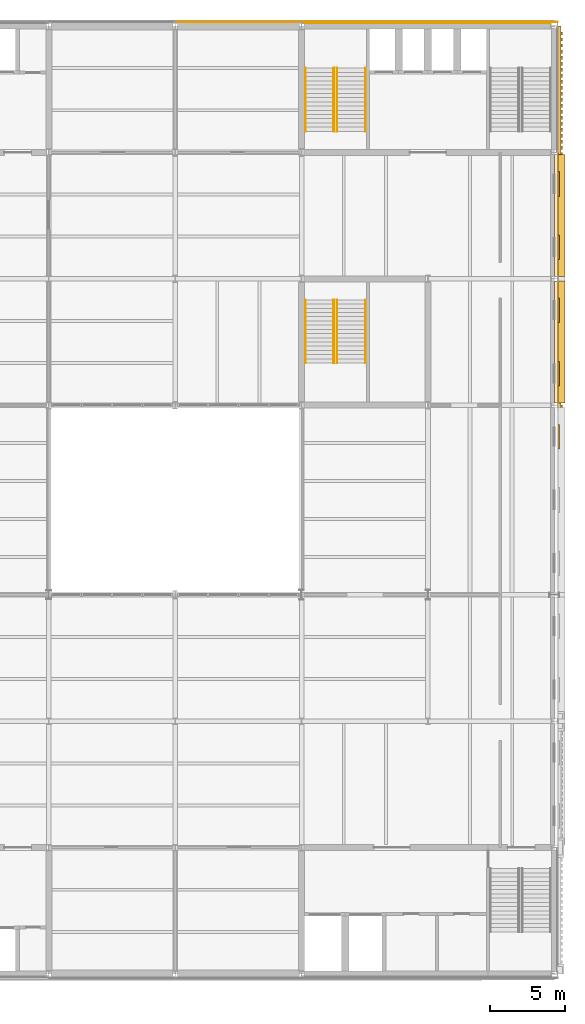
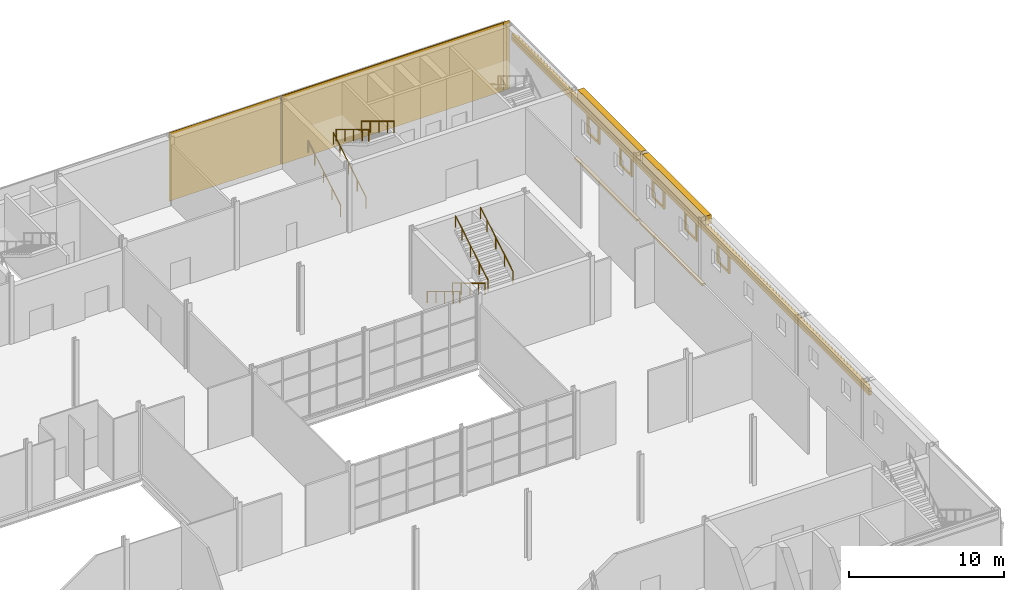
# One storey, part 52 of 57: 14 coverings, 8 railings.
"""IFC4 building model written with IfcOpenShell, lengths in metres."""

from ifc_helpers import new_model, si_unit, direction, frame, origin, origin_2d, place, context, subcontext, project, spatial, polyline, rectangle, circle, outline, extrude, material, layer, layer_set, type_object, element, save


model = new_model("IFC4")

# Units and contexts
model_context = context("Model", 3, precision=1e-05, world=origin(), true_north=direction((0.0, 1.0)))
body_context = subcontext(model_context, "Body", "Model", "MODEL_VIEW")
ifc_project = project(units=[si_unit("LENGTHUNIT", "METRE"), si_unit("AREAUNIT", "SQUARE_METRE"), si_unit("VOLUMEUNIT", "CUBIC_METRE"), si_unit("PLANEANGLEUNIT", "RADIAN"), si_unit("MASSUNIT", "GRAM", prefix="KILO")], contexts=[model_context])

# Site, building, storey
site_placement = place(None, origin())
site = spatial("IfcSite", under=ifc_project, at=site_placement, CompositionType="ELEMENT")
building_placement = place(site_placement, origin())
building = spatial("IfcBuilding", under=site, at=building_placement, Name="Galleria Vessillo Department Store", CompositionType="ELEMENT")
storey_placement = place(building_placement, frame((0.0, 0.0, 25.800048828125)))
storey = spatial("IfcBuildingStorey", under=building, at=storey_placement, Name="L05", CompositionType="ELEMENT", Elevation=25.800048828125)

# Coverings
ifc_material_1 = material(Name="Lime plaster (intonaco) ochre")
ifc_layer_1 = layer(ifc_material_1, 0.030029296875)
ifc_layer_set_1 = layer_set([ifc_layer_1], Name="Lime plaster (intonaco) ochre")
covering_type_1 = type_object("IfcCoveringType", Name="Lime plaster render 30 mm", PredefinedType="CLADDING", material=ifc_layer_set_1)
covering_1_placement = place(storey_placement, frame((96.60009765625, 63.264892578125, 0.0), z_axis=(0.0, 0.0, 1.0), x_axis=(1.0, 0.0, 0.0)))
element("IfcCovering", 1, at=covering_1_placement, inside=storey, type_object=covering_type_1, Name="Wall cladding S-PN-L05-08", PredefinedType="CLADDING", context=body_context, shape_type="SweptSolid", body=[
    extrude(rectangle(XDim=8.3330078125, YDim=0.030029296875, at=origin_2d()), origin(), (0.0, 0.0, 1.0), 5.39990234375),
])
covering_2_placement = place(storey_placement, frame((109.097412109375, 63.215087890625, 0.0), z_axis=(0.0, 0.0, 1.0), x_axis=(1.0, 0.0, 0.0)))
element("IfcCovering", 2, at=covering_2_placement, inside=storey, type_object=covering_type_1, Name="Wall cladding S-CW-TC-PARTY-L05", PredefinedType="CLADDING", context=body_context, shape_type="SweptSolid", body=[
    extrude(rectangle(XDim=16.527587890625, YDim=0.030029296875, at=origin_2d()), origin(), (0.0, 0.0, 1.0), 5.39990234375),
])
covering_3_placement = place(storey_placement, frame((109.29833984375, 63.264892578125, 0.0), z_axis=(0.0, 0.0, 1.0), x_axis=(1.0, 0.0, 0.0)))
element("IfcCovering", 3, at=covering_3_placement, inside=storey, type_object=covering_type_1, Name="Corner cladding L05 y=63 south/north face", PredefinedType="CLADDING", context=body_context, shape_type="SweptSolid", body=[
    extrude(rectangle(XDim=17.0634765625, YDim=0.030029296875, at=origin_2d()), origin(), (0.0, 0.0, 1.0), 5.39990234375),
])
ifc_material_2 = material(Name="Botticino limestone ashlar", Category="masonry")
ifc_layer_2 = layer(ifc_material_2, 0.199951171875)
ifc_layer_set_2 = layer_set([ifc_layer_2], Name="Botticino limestone ashlar")
covering_type_2 = type_object("IfcCoveringType", Name="Limestone architrave band 200 x 300", PredefinedType="MOLDING", material=ifc_layer_set_2)
covering_4_placement = place(storey_placement, frame((117.949951171875, 39.89990234375, 3.94970703125), z_axis=(0.0, 0.0, 1.0), x_axis=(1.0, 0.0, 0.0)))
element("IfcCovering", 4, at=covering_4_placement, inside=storey, type_object=covering_type_2, Name="Architrave band E y=16.8-63.0", PredefinedType="MOLDING", context=body_context, shape_type="SweptSolid", body=[
    extrude(rectangle(XDim=0.199951171875, YDim=46.199951171875, at=origin_2d()), origin(), (0.0, 0.0, 1.0), 0.300048828125),
])
ifc_material_3 = material(Name="Botticino limestone ashlar", Category="masonry")
ifc_layer_3 = layer(ifc_material_3, 0.449951171875)
ifc_layer_set_3 = layer_set([ifc_layer_3], Name="Botticino limestone ashlar")
covering_type_3 = type_object("IfcCoveringType", Name="Limestone cornice 450 x 700", PredefinedType="MOLDING", material=ifc_layer_set_3)
covering_5_placement = place(storey_placement, frame((118.0751953125, 42.0, 4.5498046875), z_axis=(0.0, 0.0, 1.0), x_axis=(1.0, 0.0, 0.0)))
element("IfcCovering", 5, at=covering_5_placement, inside=storey, type_object=covering_type_3, Name="Cornice SE-L05-04", PredefinedType="MOLDING", context=body_context, shape_type="SweptSolid", body=[
    extrude(rectangle(XDim=0.449951171875, YDim=8.093017578125, at=origin_2d()), origin(), (0.0, 0.0, 1.0), 0.699951171875),
])
covering_6_placement = place(storey_placement, frame((118.0751953125, 50.39990234375, 4.5498046875), z_axis=(0.0, 0.0, 1.0), x_axis=(1.0, 0.0, 0.0)))
element("IfcCovering", 6, at=covering_6_placement, inside=storey, type_object=covering_type_3, Name="Cornice SE-L05-05", PredefinedType="MOLDING", context=body_context, shape_type="SweptSolid", body=[
    extrude(rectangle(XDim=0.449951171875, YDim=8.09326171875, at=origin_2d()), origin(), (0.0, 0.0, 1.0), 0.699951171875),
])
ifc_material_4 = material(Name="Botticino limestone ashlar", Category="masonry")
ifc_layer_4 = layer(ifc_material_4, 0.300048828125)
ifc_layer_set_4 = layer_set([ifc_layer_4], Name="Botticino limestone ashlar")
covering_type_4 = type_object("IfcCoveringType", Name="Limestone dentil course 300 x 250", PredefinedType="MOLDING", material=ifc_layer_set_4)
covering_7_placement = place(storey_placement, frame((0.0, 0.0, 4.25)))
element("IfcCovering", 7, at=covering_7_placement, inside=storey, type_object=covering_type_4, Name="Dentil course E y=16.8-63.0", PredefinedType="MOLDING", context=body_context, shape_type="SweptSolid", body=[
    extrude(outline(polyline([(117.85009765625, 16.800048828125), (118.030029296875, 16.800048828125), (118.030029296875, 17.18994140625), (118.14990234375, 17.18994140625), (118.14990234375, 17.409912109375), (118.030029296875, 17.409912109375), (118.030029296875, 17.590087890625), (118.14990234375, 17.590087890625), (118.14990234375, 17.81005859375), (118.030029296875, 17.81005859375), (118.030029296875, 17.989990234375), (118.14990234375, 17.989990234375), (118.14990234375, 18.2099609375), (118.030029296875, 18.2099609375), (118.030029296875, 18.389892578125), (118.14990234375, 18.389892578125), (118.14990234375, 18.610107421875), (118.030029296875, 18.610107421875), (118.030029296875, 18.7900390625), (118.14990234375, 18.7900390625), (118.14990234375, 19.010009765625), (118.030029296875, 19.010009765625), (118.030029296875, 19.18994140625), (118.14990234375, 19.18994140625), (118.14990234375, 19.409912109375), (118.030029296875, 19.409912109375), (118.030029296875, 19.590087890625), (118.14990234375, 19.590087890625), (118.14990234375, 19.81005859375), (118.030029296875, 19.81005859375), (118.030029296875, 19.989990234375), (118.14990234375, 19.989990234375), (118.14990234375, 20.2099609375), (118.030029296875, 20.2099609375), (118.030029296875, 20.389892578125), (118.14990234375, 20.389892578125), (118.14990234375, 20.610107421875), (118.030029296875, 20.610107421875), (118.030029296875, 20.7900390625), (118.14990234375, 20.7900390625), (118.14990234375, 21.010009765625), (118.030029296875, 21.010009765625), (118.030029296875, 21.18994140625), (118.14990234375, 21.18994140625), (118.14990234375, 21.409912109375), (118.030029296875, 21.409912109375), (118.030029296875, 21.590087890625), (118.14990234375, 21.590087890625), (118.14990234375, 21.81005859375), (118.030029296875, 21.81005859375), (118.030029296875, 21.989990234375), (118.14990234375, 21.989990234375), (118.14990234375, 22.2099609375), (118.030029296875, 22.2099609375), (118.030029296875, 22.389892578125), (118.14990234375, 22.389892578125), (118.14990234375, 22.610107421875), (118.030029296875, 22.610107421875), (118.030029296875, 22.7900390625), (118.14990234375, 22.7900390625), (118.14990234375, 23.010009765625), (118.030029296875, 23.010009765625), (118.030029296875, 23.18994140625), (118.14990234375, 23.18994140625), (118.14990234375, 23.409912109375), (118.030029296875, 23.409912109375), (118.030029296875, 23.590087890625), (118.14990234375, 23.590087890625), (118.14990234375, 23.81005859375), (118.030029296875, 23.81005859375), (118.030029296875, 23.989990234375), (118.14990234375, 23.989990234375), (118.14990234375, 24.2099609375), (118.030029296875, 24.2099609375), (118.030029296875, 24.389892578125), (118.14990234375, 24.389892578125), (118.14990234375, 24.610107421875), (118.030029296875, 24.610107421875), (118.030029296875, 24.7900390625), (118.14990234375, 24.7900390625), (118.14990234375, 25.010009765625), (118.030029296875, 25.010009765625), (118.030029296875, 25.18994140625), (118.14990234375, 25.18994140625), (118.14990234375, 25.409912109375), (118.030029296875, 25.409912109375), (118.030029296875, 25.590087890625), (118.14990234375, 25.590087890625), (118.14990234375, 25.81005859375), (118.030029296875, 25.81005859375), (118.030029296875, 25.989990234375), (118.14990234375, 25.989990234375), (118.14990234375, 26.2099609375), (118.030029296875, 26.2099609375), (118.030029296875, 26.389892578125), (118.14990234375, 26.389892578125), (118.14990234375, 26.610107421875), (118.030029296875, 26.610107421875), (118.030029296875, 26.7900390625), (118.14990234375, 26.7900390625), (118.14990234375, 27.010009765625), (118.030029296875, 27.010009765625), (118.030029296875, 27.18994140625), (118.14990234375, 27.18994140625), (118.14990234375, 27.409912109375), (118.030029296875, 27.409912109375), (118.030029296875, 27.590087890625), (118.14990234375, 27.590087890625), (118.14990234375, 27.81005859375), (118.030029296875, 27.81005859375), (118.030029296875, 27.989990234375), (118.14990234375, 27.989990234375), (118.14990234375, 28.2099609375), (118.030029296875, 28.2099609375), (118.030029296875, 28.389892578125), (118.14990234375, 28.389892578125), (118.14990234375, 28.610107421875), (118.030029296875, 28.610107421875), (118.030029296875, 28.7900390625), (118.14990234375, 28.7900390625), (118.14990234375, 29.010009765625), (118.030029296875, 29.010009765625), (118.030029296875, 29.18994140625), (118.14990234375, 29.18994140625), (118.14990234375, 29.409912109375), (118.030029296875, 29.409912109375), (118.030029296875, 29.590087890625), (118.14990234375, 29.590087890625), (118.14990234375, 29.81005859375), (118.030029296875, 29.81005859375), (118.030029296875, 29.989990234375), (118.14990234375, 29.989990234375), (118.14990234375, 30.2099609375), (118.030029296875, 30.2099609375), (118.030029296875, 30.389892578125), (118.14990234375, 30.389892578125), (118.14990234375, 30.610107421875), (118.030029296875, 30.610107421875), (118.030029296875, 30.7900390625), (118.14990234375, 30.7900390625), (118.14990234375, 31.010009765625), (118.030029296875, 31.010009765625), (118.030029296875, 31.18994140625), (118.14990234375, 31.18994140625), (118.14990234375, 31.409912109375), (118.030029296875, 31.409912109375), (118.030029296875, 31.590087890625), (118.14990234375, 31.590087890625), (118.14990234375, 31.81005859375), (118.030029296875, 31.81005859375), (118.030029296875, 31.989990234375), (118.14990234375, 31.989990234375), (118.14990234375, 32.2099609375), (118.030029296875, 32.2099609375), (118.030029296875, 32.389892578125), (118.14990234375, 32.389892578125), (118.14990234375, 32.610107421875), (118.030029296875, 32.610107421875), (118.030029296875, 32.7900390625), (118.14990234375, 32.7900390625), (118.14990234375, 33.010009765625), (118.030029296875, 33.010009765625), (118.030029296875, 33.18994140625), (118.14990234375, 33.18994140625), (118.14990234375, 33.409912109375), (118.030029296875, 33.409912109375), (118.030029296875, 33.590087890625), (118.14990234375, 33.590087890625), (118.14990234375, 33.81005859375), (118.030029296875, 33.81005859375), (118.030029296875, 33.989990234375), (118.14990234375, 33.989990234375), (118.14990234375, 34.2099609375), (118.030029296875, 34.2099609375), (118.030029296875, 34.389892578125), (118.14990234375, 34.389892578125), (118.14990234375, 34.610107421875), (118.030029296875, 34.610107421875), (118.030029296875, 34.7900390625), (118.14990234375, 34.7900390625), (118.14990234375, 35.010009765625), (118.030029296875, 35.010009765625), (118.030029296875, 35.18994140625), (118.14990234375, 35.18994140625), (118.14990234375, 35.409912109375), (118.030029296875, 35.409912109375), (118.030029296875, 35.590087890625), (118.14990234375, 35.590087890625), (118.14990234375, 35.81005859375), (118.030029296875, 35.81005859375), (118.030029296875, 35.989990234375), (118.14990234375, 35.989990234375), (118.14990234375, 36.2099609375), (118.030029296875, 36.2099609375), (118.030029296875, 36.389892578125), (118.14990234375, 36.389892578125), (118.14990234375, 36.610107421875), (118.030029296875, 36.610107421875), (118.030029296875, 36.7900390625), (118.14990234375, 36.7900390625), (118.14990234375, 37.010009765625), (118.030029296875, 37.010009765625), (118.030029296875, 37.18994140625), (118.14990234375, 37.18994140625), (118.14990234375, 37.409912109375), (118.030029296875, 37.409912109375), (118.030029296875, 37.590087890625), (118.14990234375, 37.590087890625), (118.14990234375, 37.81005859375), (118.030029296875, 37.81005859375), (118.030029296875, 37.989990234375), (118.14990234375, 37.989990234375), (118.14990234375, 38.2099609375), (118.030029296875, 38.2099609375), (118.030029296875, 38.389892578125), (118.14990234375, 38.389892578125), (118.14990234375, 38.610107421875), (118.030029296875, 38.610107421875), (118.030029296875, 38.7900390625), (118.14990234375, 38.7900390625), (118.14990234375, 39.010009765625), (118.030029296875, 39.010009765625), (118.030029296875, 39.18994140625), (118.14990234375, 39.18994140625), (118.14990234375, 39.409912109375), (118.030029296875, 39.409912109375), (118.030029296875, 39.590087890625), (118.14990234375, 39.590087890625), (118.14990234375, 39.81005859375), (118.030029296875, 39.81005859375), (118.030029296875, 39.989990234375), (118.14990234375, 39.989990234375), (118.14990234375, 40.2099609375), (118.030029296875, 40.2099609375), (118.030029296875, 40.389892578125), (118.14990234375, 40.389892578125), (118.14990234375, 40.610107421875), (118.030029296875, 40.610107421875), (118.030029296875, 40.7900390625), (118.14990234375, 40.7900390625), (118.14990234375, 41.010009765625), (118.030029296875, 41.010009765625), (118.030029296875, 41.18994140625), (118.14990234375, 41.18994140625), (118.14990234375, 41.409912109375), (118.030029296875, 41.409912109375), (118.030029296875, 41.590087890625), (118.14990234375, 41.590087890625), (118.14990234375, 41.81005859375), (118.030029296875, 41.81005859375), (118.030029296875, 41.989990234375), (118.14990234375, 41.989990234375), (118.14990234375, 42.2099609375), (118.030029296875, 42.2099609375), (118.030029296875, 42.389892578125), (118.14990234375, 42.389892578125), (118.14990234375, 42.610107421875), (118.030029296875, 42.610107421875), (118.030029296875, 42.7900390625), (118.14990234375, 42.7900390625), (118.14990234375, 43.010009765625), (118.030029296875, 43.010009765625), (118.030029296875, 43.18994140625), (118.14990234375, 43.18994140625), (118.14990234375, 43.409912109375), (118.030029296875, 43.409912109375), (118.030029296875, 43.590087890625), (118.14990234375, 43.590087890625), (118.14990234375, 43.81005859375), (118.030029296875, 43.81005859375), (118.030029296875, 43.989990234375), (118.14990234375, 43.989990234375), (118.14990234375, 44.2099609375), (118.030029296875, 44.2099609375), (118.030029296875, 44.389892578125), (118.14990234375, 44.389892578125), (118.14990234375, 44.610107421875), (118.030029296875, 44.610107421875), (118.030029296875, 44.7900390625), (118.14990234375, 44.7900390625), (118.14990234375, 45.010009765625), (118.030029296875, 45.010009765625), (118.030029296875, 45.18994140625), (118.14990234375, 45.18994140625), (118.14990234375, 45.409912109375), (118.030029296875, 45.409912109375), (118.030029296875, 45.590087890625), (118.14990234375, 45.590087890625), (118.14990234375, 45.81005859375), (118.030029296875, 45.81005859375), (118.030029296875, 45.989990234375), (118.14990234375, 45.989990234375), (118.14990234375, 46.2099609375), (118.030029296875, 46.2099609375), (118.030029296875, 46.389892578125), (118.14990234375, 46.389892578125), (118.14990234375, 46.610107421875), (118.030029296875, 46.610107421875), (118.030029296875, 46.7900390625), (118.14990234375, 46.7900390625), (118.14990234375, 47.010009765625), (118.030029296875, 47.010009765625), (118.030029296875, 47.18994140625), (118.14990234375, 47.18994140625), (118.14990234375, 47.409912109375), (118.030029296875, 47.409912109375), (118.030029296875, 47.590087890625), (118.14990234375, 47.590087890625), (118.14990234375, 47.81005859375), (118.030029296875, 47.81005859375), (118.030029296875, 47.989990234375), (118.14990234375, 47.989990234375), (118.14990234375, 48.2099609375), (118.030029296875, 48.2099609375), (118.030029296875, 48.389892578125), (118.14990234375, 48.389892578125), (118.14990234375, 48.610107421875), (118.030029296875, 48.610107421875), (118.030029296875, 48.7900390625), (118.14990234375, 48.7900390625), (118.14990234375, 49.010009765625), (118.030029296875, 49.010009765625), (118.030029296875, 49.18994140625), (118.14990234375, 49.18994140625), (118.14990234375, 49.409912109375), (118.030029296875, 49.409912109375), (118.030029296875, 49.590087890625), (118.14990234375, 49.590087890625), (118.14990234375, 49.81005859375), (118.030029296875, 49.81005859375), (118.030029296875, 49.989990234375), (118.14990234375, 49.989990234375), (118.14990234375, 50.2099609375), (118.030029296875, 50.2099609375), (118.030029296875, 50.389892578125), (118.14990234375, 50.389892578125), (118.14990234375, 50.610107421875), (118.030029296875, 50.610107421875), (118.030029296875, 50.7900390625), (118.14990234375, 50.7900390625), (118.14990234375, 51.010009765625), (118.030029296875, 51.010009765625), (118.030029296875, 51.18994140625), (118.14990234375, 51.18994140625), (118.14990234375, 51.409912109375), (118.030029296875, 51.409912109375), (118.030029296875, 51.590087890625), (118.14990234375, 51.590087890625), (118.14990234375, 51.81005859375), (118.030029296875, 51.81005859375), (118.030029296875, 51.989990234375), (118.14990234375, 51.989990234375), (118.14990234375, 52.2099609375), (118.030029296875, 52.2099609375), (118.030029296875, 52.389892578125), (118.14990234375, 52.389892578125), (118.14990234375, 52.610107421875), (118.030029296875, 52.610107421875), (118.030029296875, 52.7900390625), (118.14990234375, 52.7900390625), (118.14990234375, 53.010009765625), (118.030029296875, 53.010009765625), (118.030029296875, 53.18994140625), (118.14990234375, 53.18994140625), (118.14990234375, 53.409912109375), (118.030029296875, 53.409912109375), (118.030029296875, 53.590087890625), (118.14990234375, 53.590087890625), (118.14990234375, 53.81005859375), (118.030029296875, 53.81005859375), (118.030029296875, 53.989990234375), (118.14990234375, 53.989990234375), (118.14990234375, 54.2099609375), (118.030029296875, 54.2099609375), (118.030029296875, 54.389892578125), (118.14990234375, 54.389892578125), (118.14990234375, 54.610107421875), (118.030029296875, 54.610107421875), (118.030029296875, 54.7900390625), (118.14990234375, 54.7900390625), (118.14990234375, 55.010009765625), (118.030029296875, 55.010009765625), (118.030029296875, 55.18994140625), (118.14990234375, 55.18994140625), (118.14990234375, 55.409912109375), (118.030029296875, 55.409912109375), (118.030029296875, 55.590087890625), (118.14990234375, 55.590087890625), (118.14990234375, 55.81005859375), (118.030029296875, 55.81005859375), (118.030029296875, 55.989990234375), (118.14990234375, 55.989990234375), (118.14990234375, 56.2099609375), (118.030029296875, 56.2099609375), (118.030029296875, 56.389892578125), (118.14990234375, 56.389892578125), (118.14990234375, 56.610107421875), (118.030029296875, 56.610107421875), (118.030029296875, 56.7900390625), (118.14990234375, 56.7900390625), (118.14990234375, 57.010009765625), (118.030029296875, 57.010009765625), (118.030029296875, 57.18994140625), (118.14990234375, 57.18994140625), (118.14990234375, 57.409912109375), (118.030029296875, 57.409912109375), (118.030029296875, 57.590087890625), (118.14990234375, 57.590087890625), (118.14990234375, 57.81005859375), (118.030029296875, 57.81005859375), (118.030029296875, 57.989990234375), (118.14990234375, 57.989990234375), (118.14990234375, 58.2099609375), (118.030029296875, 58.2099609375), (118.030029296875, 58.389892578125), (118.14990234375, 58.389892578125), (118.14990234375, 58.610107421875), (118.030029296875, 58.610107421875), (118.030029296875, 58.7900390625), (118.14990234375, 58.7900390625), (118.14990234375, 59.010009765625), (118.030029296875, 59.010009765625), (118.030029296875, 59.18994140625), (118.14990234375, 59.18994140625), (118.14990234375, 59.409912109375), (118.030029296875, 59.409912109375), (118.030029296875, 59.590087890625), (118.14990234375, 59.590087890625), (118.14990234375, 59.81005859375), (118.030029296875, 59.81005859375), (118.030029296875, 59.989990234375), (118.14990234375, 59.989990234375), (118.14990234375, 60.2099609375), (118.030029296875, 60.2099609375), (118.030029296875, 60.389892578125), (118.14990234375, 60.389892578125), (118.14990234375, 60.610107421875), (118.030029296875, 60.610107421875), (118.030029296875, 60.7900390625), (118.14990234375, 60.7900390625), (118.14990234375, 61.010009765625), (118.030029296875, 61.010009765625), (118.030029296875, 61.18994140625), (118.14990234375, 61.18994140625), (118.14990234375, 61.409912109375), (118.030029296875, 61.409912109375), (118.030029296875, 61.590087890625), (118.14990234375, 61.590087890625), (118.14990234375, 61.81005859375), (118.030029296875, 61.81005859375), (118.030029296875, 61.989990234375), (118.14990234375, 61.989990234375), (118.14990234375, 62.2099609375), (118.030029296875, 62.2099609375), (118.030029296875, 62.389892578125), (118.14990234375, 62.389892578125), (118.14990234375, 62.610107421875), (118.030029296875, 62.610107421875), (118.030029296875, 63.0), (117.85009765625, 63.0), (117.85009765625, 16.800048828125)])), origin(), (0.0, 0.0, 1.0), 0.25),
])
ifc_material_5 = material(Name="Botticino limestone ashlar", Category="masonry")
ifc_layer_5 = layer(ifc_material_5, 0.14990234375)
ifc_layer_set_5 = layer_set([ifc_layer_5], Name="Botticino limestone ashlar")
covering_type_5 = type_object("IfcCoveringType", Name="Limestone slab-edge fascia 150 mm", PredefinedType="CLADDING", material=ifc_layer_set_5)
covering_8_placement = place(storey_placement, frame((117.72509765625, 42.0, -0.14990234375), z_axis=(0.0, 0.0, 1.0), x_axis=(1.0, 0.0, 0.0)))
element("IfcCovering", 8, at=covering_8_placement, inside=storey, type_object=covering_type_5, Name="Slab-edge fascia SE-L04-04", PredefinedType="CLADDING", context=body_context, shape_type="SweptSolid", body=[
    extrude(rectangle(XDim=0.25, YDim=8.093017578125, at=origin_2d()), origin(), (0.0, 0.0, 1.0), 0.14990234375),
])
covering_9_placement = place(storey_placement, frame((117.72509765625, 50.39990234375, -0.14990234375), z_axis=(0.0, 0.0, 1.0), x_axis=(1.0, 0.0, 0.0)))
element("IfcCovering", 9, at=covering_9_placement, inside=storey, type_object=covering_type_5, Name="Slab-edge fascia SE-L04-05", PredefinedType="CLADDING", context=body_context, shape_type="SweptSolid", body=[
    extrude(rectangle(XDim=0.25, YDim=8.09326171875, at=origin_2d()), origin(), (0.0, 0.0, 1.0), 0.14990234375),
])
ifc_material_6 = material(Name="Botticino limestone ashlar", Category="masonry")
ifc_layer_6 = layer(ifc_material_6, 0.10009765625)
ifc_layer_set_6 = layer_set([ifc_layer_6], Name="Botticino limestone ashlar")
covering_type_6 = type_object("IfcCoveringType", Name="Limestone window surround 100 mm", PredefinedType="CLADDING", material=ifc_layer_set_6)
covering_10_placement = place(storey_placement, frame((117.85009765625, 0.0, 2.699951171875), z_axis=(1.0, 0.0, 0.0), x_axis=(0.0, 1.0, 0.0)))
element("IfcCovering", 10, at=covering_10_placement, inside=storey, type_object=covering_type_6, Name="Window surround W086", PredefinedType="CLADDING", context=body_context, shape_type="SweptSolid", body=[
    extrude(outline(polyline([(34.880126953125, -0.139892578125), (36.52001953125, -0.139892578125), (36.52001953125, 1.25), (34.880126953125, 1.25), (34.880126953125, -0.139892578125)]), holes=[polyline([(35.10009765625, 0.0), (36.300048828125, 0.0), (36.300048828125, 1.199951171875), (35.10009765625, 1.199951171875), (35.10009765625, 0.0)])]), origin(), (0.0, 0.0, 1.0), 0.10009765625),
])
covering_11_placement = place(storey_placement, frame((117.85009765625, 0.0, 2.699951171875), z_axis=(1.0, 0.0, 0.0), x_axis=(0.0, 1.0, 0.0)))
element("IfcCovering", 11, at=covering_11_placement, inside=storey, type_object=covering_type_6, Name="Window surround W087", PredefinedType="CLADDING", context=body_context, shape_type="SweptSolid", body=[
    extrude(outline(polyline([(39.080078125, -0.139892578125), (40.719970703125, -0.139892578125), (40.719970703125, 1.25), (39.080078125, 1.25), (39.080078125, -0.139892578125)]), holes=[polyline([(39.300048828125, 0.0), (40.5, 0.0), (40.5, 1.199951171875), (39.300048828125, 1.199951171875), (39.300048828125, 0.0)])]), origin(), (0.0, 0.0, 1.0), 0.10009765625),
])
covering_12_placement = place(storey_placement, frame((117.85009765625, 0.0, 2.699951171875), z_axis=(1.0, 0.0, 0.0), x_axis=(0.0, 1.0, 0.0)))
element("IfcCovering", 12, at=covering_12_placement, inside=storey, type_object=covering_type_6, Name="Window surround W088", PredefinedType="CLADDING", context=body_context, shape_type="SweptSolid", body=[
    extrude(outline(polyline([(43.280029296875, -0.139892578125), (44.919921875, -0.139892578125), (44.919921875, 1.25), (43.280029296875, 1.25), (43.280029296875, -0.139892578125)]), holes=[polyline([(43.5, 0.0), (44.699951171875, 0.0), (44.699951171875, 1.199951171875), (43.5, 1.199951171875), (43.5, 0.0)])]), origin(), (0.0, 0.0, 1.0), 0.10009765625),
])
covering_13_placement = place(storey_placement, frame((117.85009765625, 0.0, 2.699951171875), z_axis=(1.0, 0.0, 0.0), x_axis=(0.0, 1.0, 0.0)))
element("IfcCovering", 13, at=covering_13_placement, inside=storey, type_object=covering_type_6, Name="Window surround W089", PredefinedType="CLADDING", context=body_context, shape_type="SweptSolid", body=[
    extrude(outline(polyline([(47.47998046875, -0.139892578125), (49.1201171875, -0.139892578125), (49.1201171875, 1.25), (47.47998046875, 1.25), (47.47998046875, -0.139892578125)]), holes=[polyline([(47.699951171875, 0.0), (48.89990234375, 0.0), (48.89990234375, 1.199951171875), (47.699951171875, 1.199951171875), (47.699951171875, 0.0)])]), origin(), (0.0, 0.0, 1.0), 0.10009765625),
])
covering_14_placement = place(storey_placement, frame((117.85009765625, 0.0, 2.699951171875), z_axis=(1.0, 0.0, 0.0), x_axis=(0.0, 1.0, 0.0)))
element("IfcCovering", 14, at=covering_14_placement, inside=storey, type_object=covering_type_6, Name="Window surround W090", PredefinedType="CLADDING", context=body_context, shape_type="SweptSolid", body=[
    extrude(outline(polyline([(51.679931640625, -0.139892578125), (53.31982421875, -0.139892578125), (53.31982421875, 1.25), (51.679931640625, 1.25), (51.679931640625, -0.139892578125)]), holes=[polyline([(51.89990234375, 0.0), (53.099853515625, 0.0), (53.099853515625, 1.199951171875), (51.89990234375, 1.199951171875), (51.89990234375, 0.0)])]), origin(), (0.0, 0.0, 1.0), 0.10009765625),
])

# Railings
ifc_material_7 = material(Name="Stainless steel tube", Category="steel")
railing_type = type_object("IfcRailingType", Name="Stair handrail steel tube 48 mm", PredefinedType="HANDRAIL", material=ifc_material_7)
for number, where, name in (
    (15, (101.06005859375, 56.0, 0.168701171875), "Handrail ST8 L05 flight 1A"),
    (16, (102.93994140625, 56.0, 0.168701171875), "Handrail ST8 L05 flight 1B"),
):
    element("IfcRailing", number, at=place(storey_placement, frame(where)), inside=storey, type_object=railing_type, Name=name, PredefinedType="HANDRAIL", context=body_context, shape_type="SweptSolid", body=[
        extrude(circle(Radius=0.02392578125, at=origin_2d()), frame((0.0, 0.0, 0.89599609375), z_axis=(0.0, 0.856486514401, 0.516169401116), x_axis=(-1.0, 0.0, 0.0)), (0.0, 0.0, 1.0), 1.307861328125),
        extrude(circle(Radius=0.02392578125, at=origin_2d()), frame((0.0, 1.1201171875, 1.57080078125), z_axis=(0.0, 0.856436765236, 0.516251941548), x_axis=(-1.0, 0.0, 0.0)), (0.0, 0.0, 1.0), 1.3076171875),
        extrude(circle(Radius=0.02392578125, at=origin_2d()), frame((0.0, 2.239990234375, 2.24609375), z_axis=(0.0, 0.856486514401, 0.516169401116), x_axis=(-1.0, 0.0, 0.0)), (0.0, 0.0, 1.0), 1.307861328125),
        extrude(circle(Radius=0.02392578125, at=origin_2d()), frame((0.0, 3.360107421875, 2.9208984375), z_axis=(0.0, 0.856502732318, 0.516142489563), x_axis=(-1.0, 0.0, 0.0)), (0.0, 0.0, 1.0), 0.98046875),
        extrude(circle(Radius=0.02099609375, at=origin_2d()), origin(), (0.0, 0.0, 1.0), 0.871826171875),
        extrude(circle(Radius=0.02099609375, at=origin_2d()), frame((0.0, 1.1201171875, 0.675048828125)), (0.0, 0.0, 1.0), 0.871826171875),
        extrude(circle(Radius=0.02099609375, at=origin_2d()), frame((0.0, 2.239990234375, 1.35009765625)), (0.0, 0.0, 1.0), 0.871826171875),
        extrude(circle(Radius=0.02099609375, at=origin_2d()), frame((0.0, 3.360107421875, 2.025146484375)), (0.0, 0.0, 1.0), 0.871826171875),
        extrude(circle(Radius=0.02099609375, at=origin_2d()), frame((0.0, 4.199951171875, 2.53125)), (0.0, 0.0, 1.0), 0.871826171875),
    ])
for number, where, name in (
    (17, (105.0400390625, 60.199951171875, 2.86865234375), "Handrail ST8 L05 flight 2A"),
    (18, (103.16015625, 60.199951171875, 2.86865234375), "Handrail ST8 L05 flight 2B"),
    (19, (102.93994140625, 44.800048828125, 0.168701171875), "Handrail ST12 L05 flight 1A"),
    (20, (101.06005859375, 44.800048828125, 0.168701171875), "Handrail ST12 L05 flight 1B"),
):
    element("IfcRailing", number, at=place(storey_placement, frame(where)), inside=storey, type_object=railing_type, Name=name, PredefinedType="HANDRAIL", context=body_context, shape_type="SweptSolid", body=[
        extrude(circle(Radius=0.02392578125, at=origin_2d()), frame((0.0, 0.0, 0.89599609375), z_axis=(0.0, -0.856486514401, 0.516169401116), x_axis=(1.0, 0.0, 0.0)), (0.0, 0.0, 1.0), 1.307861328125),
        extrude(circle(Radius=0.02392578125, at=origin_2d()), frame((0.0, -1.1201171875, 1.57080078125), z_axis=(0.0, -0.856436765236, 0.516251941548), x_axis=(1.0, 0.0, 0.0)), (0.0, 0.0, 1.0), 1.3076171875),
        extrude(circle(Radius=0.02392578125, at=origin_2d()), frame((0.0, -2.239990234375, 2.24609375), z_axis=(0.0, -0.856486514401, 0.516169401116), x_axis=(1.0, 0.0, 0.0)), (0.0, 0.0, 1.0), 1.307861328125),
        extrude(circle(Radius=0.02392578125, at=origin_2d()), frame((0.0, -3.360107421875, 2.9208984375), z_axis=(0.0, -0.856502732318, 0.516142489563), x_axis=(1.0, 0.0, 0.0)), (0.0, 0.0, 1.0), 0.98046875),
        extrude(circle(Radius=0.02099609375, at=origin_2d()), origin(), (0.0, 0.0, 1.0), 0.871826171875),
        extrude(circle(Radius=0.02099609375, at=origin_2d()), frame((0.0, -1.1201171875, 0.675048828125)), (0.0, 0.0, 1.0), 0.871826171875),
        extrude(circle(Radius=0.02099609375, at=origin_2d()), frame((0.0, -2.239990234375, 1.35009765625)), (0.0, 0.0, 1.0), 0.871826171875),
        extrude(circle(Radius=0.02099609375, at=origin_2d()), frame((0.0, -3.360107421875, 2.025146484375)), (0.0, 0.0, 1.0), 0.871826171875),
        extrude(circle(Radius=0.02099609375, at=origin_2d()), frame((0.0, -4.199951171875, 2.53125)), (0.0, 0.0, 1.0), 0.871826171875),
    ])
for number, where, name in (
    (21, (103.16015625, 40.60009765625, 2.86865234375), "Handrail ST12 L05 flight 2A"),
    (22, (105.0400390625, 40.60009765625, 2.86865234375), "Handrail ST12 L05 flight 2B"),
):
    element("IfcRailing", number, at=place(storey_placement, frame(where)), inside=storey, type_object=railing_type, Name=name, PredefinedType="HANDRAIL", context=body_context, shape_type="SweptSolid", body=[
        extrude(circle(Radius=0.02392578125, at=origin_2d()), frame((0.0, 0.0, 0.89599609375), z_axis=(0.0, 0.856486514401, 0.516169401116), x_axis=(-1.0, 0.0, 0.0)), (0.0, 0.0, 1.0), 1.307861328125),
        extrude(circle(Radius=0.02392578125, at=origin_2d()), frame((0.0, 1.1201171875, 1.57080078125), z_axis=(0.0, 0.856436765236, 0.516251941548), x_axis=(-1.0, 0.0, 0.0)), (0.0, 0.0, 1.0), 1.3076171875),
        extrude(circle(Radius=0.02392578125, at=origin_2d()), frame((0.0, 2.239990234375, 2.24609375), z_axis=(0.0, 0.856486514401, 0.516169401116), x_axis=(-1.0, 0.0, 0.0)), (0.0, 0.0, 1.0), 1.307861328125),
        extrude(circle(Radius=0.02392578125, at=origin_2d()), frame((0.0, 3.360107421875, 2.9208984375), z_axis=(0.0, 0.856502732318, 0.516142489563), x_axis=(-1.0, 0.0, 0.0)), (0.0, 0.0, 1.0), 0.98046875),
        extrude(circle(Radius=0.02099609375, at=origin_2d()), origin(), (0.0, 0.0, 1.0), 0.871826171875),
        extrude(circle(Radius=0.02099609375, at=origin_2d()), frame((0.0, 1.1201171875, 0.675048828125)), (0.0, 0.0, 1.0), 0.871826171875),
        extrude(circle(Radius=0.02099609375, at=origin_2d()), frame((0.0, 2.239990234375, 1.35009765625)), (0.0, 0.0, 1.0), 0.871826171875),
        extrude(circle(Radius=0.02099609375, at=origin_2d()), frame((0.0, 3.360107421875, 2.025146484375)), (0.0, 0.0, 1.0), 0.871826171875),
        extrude(circle(Radius=0.02099609375, at=origin_2d()), frame((0.0, 4.199951171875, 2.53125)), (0.0, 0.0, 1.0), 0.871826171875),
    ])

save(model, "model.ifc")
